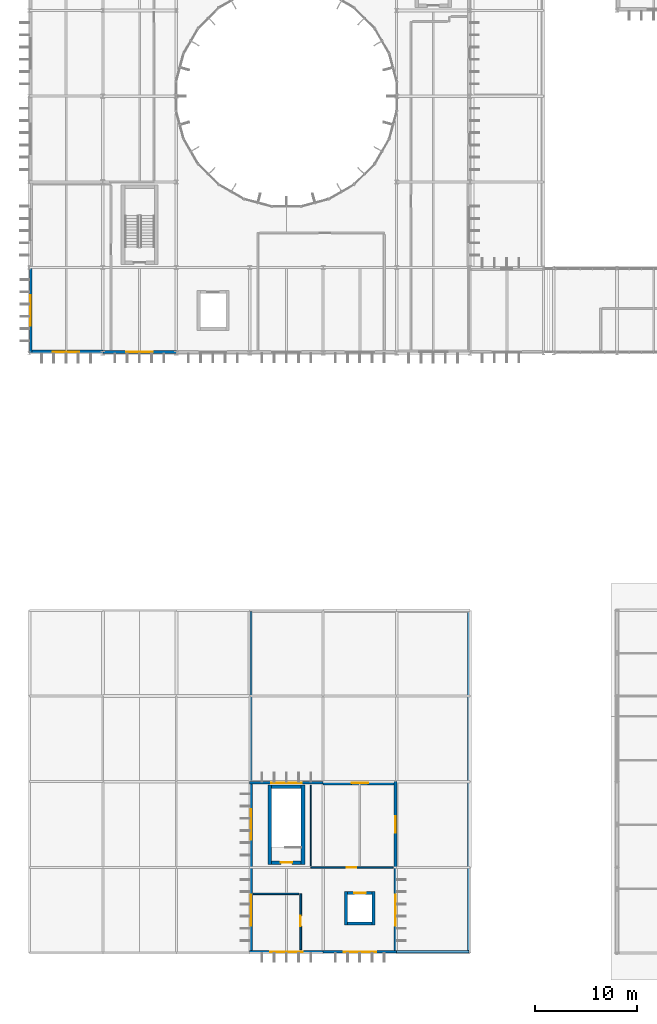
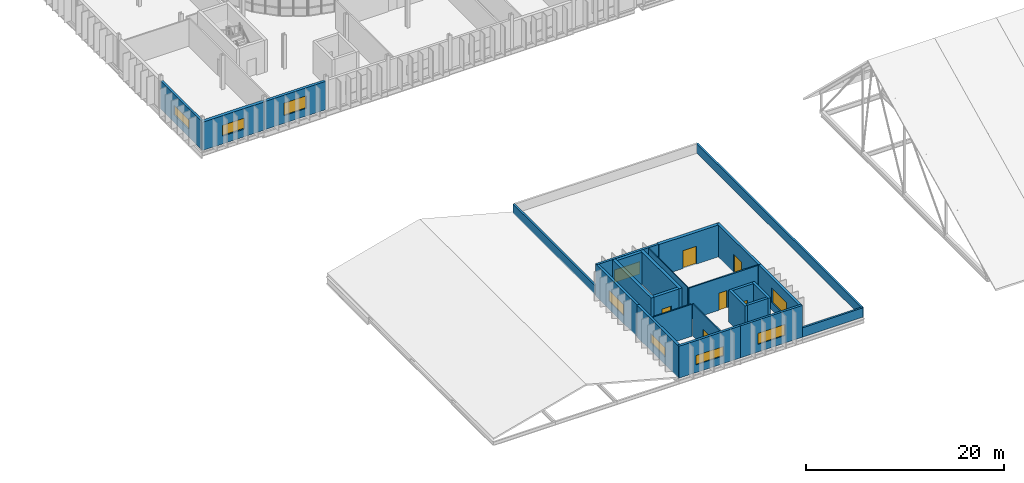
# One storey, part 76 of 99: 26 walls, 9 windows, 6 doors, 15 openings.
"""IFC4 building model written with IfcOpenShell, lengths in metres."""

from ifc_helpers import new_model, si_unit, direction, frame, frame_2d, origin, place, context, subcontext, project, spatial, rectangle, extrude, material, layer, layer_set, type_object, element, fill, save


model = new_model("IFC4")

# Units and contexts
model_context = context("Model", 3, precision=1e-05, world=origin(), true_north=direction((0.0, 1.0)))
body_context = subcontext(model_context, "Body", "Model", "MODEL_VIEW")
ifc_project = project(units=[si_unit("LENGTHUNIT", "METRE"), si_unit("AREAUNIT", "SQUARE_METRE"), si_unit("VOLUMEUNIT", "CUBIC_METRE"), si_unit("PLANEANGLEUNIT", "RADIAN"), si_unit("MASSUNIT", "GRAM", prefix="KILO")], contexts=[model_context])

# Site, building, storey
site_placement = place(None, origin())
site = spatial("IfcSite", under=ifc_project, at=site_placement, CompositionType="ELEMENT")
building_placement = place(site_placement, origin())
building = spatial("IfcBuilding", under=site, at=building_placement, Name="Qelthora Terrace Specialist Clinic", CompositionType="ELEMENT")
storey_placement = place(building_placement, frame((0.0, 0.0, 9.0)))
storey = spatial("IfcBuildingStorey", under=building, at=storey_placement, Name="L02", CompositionType="ELEMENT", Elevation=9.0)

# Walls
ifc_material_1 = material(Name="Concrete C40/50", Category="concrete")
ifc_layer_1 = layer(ifc_material_1, 0.300048828125)
ifc_layer_set_1 = layer_set([ifc_layer_1], Name="Concrete C40/50")
wall_type_1 = type_object("IfcWallType", Name="WAL-CORE-300-C40", PredefinedType="SHEAR", material=ifc_layer_set_1)
for number, where, z_axis, x_axis, name in (
    (1, (31.050048828125, 2.75, 0.0), (0.0, 0.0, 1.0), (0.0, 1.0, 0.0), "Lift PL-03 L02 west shaft wall"),
    (2, (33.75, 2.75, 0.0), (0.0, 0.0, 1.0), (0.0, 1.0, 0.0), "Lift PL-03 L02 east shaft wall"),
):
    element("IfcWall", number, at=place(storey_placement, frame(where, z_axis=z_axis, x_axis=x_axis)), inside=storey, type_object=wall_type_1, Name=name, PredefinedType="SHEAR", context=body_context, shape_type="SweptSolid", body=[
        extrude(rectangle(XDim=3.300048828125, YDim=0.300048828125, at=frame_2d((1.64990234375, 0.0))), origin(), (0.0, 0.0, 1.0), 3.965087890625),
    ])

# Wall, opening, door
wall_1_placement = place(storey_placement, frame((31.199951171875, 5.89990234375, 0.0), z_axis=(0.0, 0.0, 1.0), x_axis=(1.0, 0.0, 0.0)))
wall_1 = element("IfcWall", 3, at=wall_1_placement, inside=storey, type_object=wall_type_1, Name="Lift PL-03 L02 north shaft wall", PredefinedType="SHEAR", context=body_context, shape_type="SweptSolid", body=[
    extrude(rectangle(XDim=2.400146484375, YDim=0.300048828125, at=frame_2d((1.2001953125, 0.0))), origin(), (0.0, 0.0, 1.0), 3.965087890625),
])
opening_1_placement = place(wall_1_placement, frame((0.64990234375, 0.0, 0.0)))
opening_1 = element("IfcOpeningElement", 4, at=opening_1_placement, cuts=wall_1, Name="Opening LD-PL-03-L02", PredefinedType="OPENING", context=body_context, shape_type="SweptSolid", body=[
    extrude(rectangle(XDim=1.10009765625, YDim=2.14990234375, at=frame_2d((0.550048828125, 1.074951171875))), frame((0.0, 0.159912109375, 0.0), z_axis=(0.0, -1.0, 0.0), x_axis=(1.0, 0.0, 0.0)), (0.0, 0.0, 1.0), 0.320068359375),
])
ifc_material_2 = material(Name="Steel S355", Category="steel")
door_type_1 = type_object("IfcDoorType", Name="DOR-LIFT-1100X2150", OperationType="NOTDEFINED", PredefinedType="DOOR", material=ifc_material_2)
door_1_placement = place(opening_1_placement, origin())
door_1 = element("IfcDoor", 5, at=door_1_placement, inside=storey, type_object=door_type_1, Name="Lift landing sliding door LD-PL-03-L02", OperationType="DOUBLE_DOOR_SLIDING", OverallHeight=2.14990234375, OverallWidth=1.10009765625, PredefinedType="DOOR", context=body_context, shape_type="SweptSolid", body=[
    extrude(rectangle(XDim=1.10009765625, YDim=2.14990234375, at=frame_2d((0.550048828125, 1.074951171875))), frame((0.0, 0.02490234375, 0.0), z_axis=(0.0, -1.0, 0.0), x_axis=(1.0, 0.0, 0.0)), (0.0, 0.0, 1.0), 0.050048828125),
])
fill(opening_1, door_1)

# Walls
wall_2_placement = place(storey_placement, frame((31.199951171875, 2.89990234375, 0.0), z_axis=(0.0, 0.0, 1.0), x_axis=(1.0, 0.0, 0.0)))
element("IfcWall", 6, at=wall_2_placement, inside=storey, type_object=wall_type_1, Name="Lift PL-03 L02 south shaft wall", PredefinedType="SHEAR", context=body_context, shape_type="SweptSolid", body=[
    extrude(rectangle(XDim=2.400146484375, YDim=0.300048828125, at=frame_2d((1.2001953125, 0.0))), origin(), (0.0, 0.0, 1.0), 3.965087890625),
])
ifc_layer_2 = layer(ifc_material_1, 0.35009765625)
ifc_layer_set_2 = layer_set([ifc_layer_2], Name="Concrete C40/50")
wall_type_2 = type_object("IfcWallType", Name="WAL-CORE-350-C40", PredefinedType="SHEAR", material=ifc_layer_set_2)
for number, where, z_axis, x_axis, name in (
    (7, (23.574951171875, 8.699951171875, 0.0), (0.0, 0.0, 1.0), (0.0, 1.0, 0.0), "ST-03 L02 west shear core wall"),
    (8, (26.824951171875, 8.699951171875, 0.0), (0.0, 0.0, 1.0), (0.0, 1.0, 0.0), "ST-03 L02 east shear core wall"),
):
    element("IfcWall", number, at=place(storey_placement, frame(where, z_axis=z_axis, x_axis=x_axis)), inside=storey, type_object=wall_type_2, Name=name, PredefinedType="SHEAR", context=body_context, shape_type="SweptSolid", body=[
        extrude(rectangle(XDim=7.800048828125, YDim=0.35009765625, at=frame_2d((3.89990234375, 0.0))), origin(), (0.0, 0.0, 1.0), 3.965087890625),
    ])
wall_3_placement = place(storey_placement, frame((23.75, 16.324951171875, 0.0), z_axis=(0.0, 0.0, 1.0), x_axis=(1.0, 0.0, 0.0)))
element("IfcWall", 9, at=wall_3_placement, inside=storey, type_object=wall_type_2, Name="ST-03 L02 north shear core wall", PredefinedType="SHEAR", context=body_context, shape_type="SweptSolid", body=[
    extrude(rectangle(XDim=2.89990234375, YDim=0.35009765625, at=frame_2d((1.449951171875, 0.0))), origin(), (0.0, 0.0, 1.0), 3.965087890625),
])

# Wall, opening, door
wall_4_placement = place(storey_placement, frame((23.75, 8.875, 0.0), z_axis=(0.0, 0.0, 1.0), x_axis=(1.0, 0.0, 0.0)))
wall_4 = element("IfcWall", 10, at=wall_4_placement, inside=storey, type_object=wall_type_2, Name="ST-03 L02 south shear core wall", PredefinedType="SHEAR", context=body_context, shape_type="SweptSolid", body=[
    extrude(rectangle(XDim=2.89990234375, YDim=0.35009765625, at=frame_2d((1.449951171875, 0.0))), origin(), (0.0, 0.0, 1.0), 3.965087890625),
])
opening_2_placement = place(wall_4_placement, frame((0.89990234375, 0.0, 0.0)))
opening_2 = element("IfcOpeningElement", 11, at=opening_2_placement, cuts=wall_4, Name="Opening D-ST-03-L02", PredefinedType="OPENING", context=body_context, shape_type="SweptSolid", body=[
    extrude(rectangle(XDim=1.10009765625, YDim=2.14990234375, at=frame_2d((0.550048828125, 1.074951171875))), frame((0.0, 0.18505859375, 0.0), z_axis=(0.0, -1.0, 0.0), x_axis=(1.0, 0.0, 0.0)), (0.0, 0.0, 1.0), 0.3701171875),
])
door_type_2 = type_object("IfcDoorType", Name="DOR-STAIR-1100X2150", OperationType="NOTDEFINED", PredefinedType="DOOR", material=ifc_material_2)
door_2_placement = place(opening_2_placement, origin())
door_2 = element("IfcDoor", 12, at=door_2_placement, inside=storey, type_object=door_type_2, Name="Stair fire door D-ST-03-L02", OperationType="SINGLE_SWING_LEFT", OverallHeight=2.14990234375, OverallWidth=1.10009765625, PredefinedType="DOOR", context=body_context, shape_type="SweptSolid", body=[
    extrude(rectangle(XDim=1.10009765625, YDim=2.14990234375, at=frame_2d((0.550048828125, 1.074951171875))), frame((0.0, 0.02490234375, 0.0), z_axis=(0.0, -1.0, 0.0), x_axis=(1.0, 0.0, 0.0)), (0.0, 0.0, 1.0), 0.050048828125),
])
fill(opening_2, door_2)

# Wall, opening, window
ifc_material_3 = material(Name="Precast concrete C40/50", Category="concrete")
ifc_layer_3 = layer(ifc_material_3, 0.260009765625)
ifc_layer_set_3 = layer_set([ifc_layer_3], Name="Precast concrete C40/50")
wall_type_3 = type_object("IfcWallType", Name="WAL-EXT-260-PC40", PredefinedType="SOLIDWALL", material=ifc_layer_set_3)
wall_5_placement = place(storey_placement, frame((0.1201171875, 58.800048828125, 0.0), z_axis=(0.0, 0.0, 1.0), x_axis=(0.0, 1.0, 0.0)))
wall_5 = element("IfcWall", 13, at=wall_5_placement, inside=storey, type_object=wall_type_3, Name="L02 external precast wall 209", PredefinedType="SOLIDWALL", context=body_context, shape_type="SweptSolid", body=[
    extrude(rectangle(XDim=8.39990234375, YDim=0.260009765625, at=frame_2d((4.199951171875, 0.0))), origin(), (0.0, 0.0, 1.0), 3.47607421875),
])
opening_3_placement = place(wall_5_placement, frame((2.699951171875, 0.0, 0.949951171875)))
opening_3 = element("IfcOpeningElement", 14, at=opening_3_placement, cuts=wall_5, Name="Opening WN-L02-177", PredefinedType="OPENING", context=body_context, shape_type="SweptSolid", body=[
    extrude(rectangle(XDim=3.0, YDim=1.14990234375, at=frame_2d((1.5, 0.574951171875))), frame((0.0, 0.139892578125, 0.0), z_axis=(0.0, -1.0, 0.0), x_axis=(1.0, 0.0, 0.0)), (0.0, 0.0, 1.0), 0.280029296875),
])
ifc_material_4 = material(Name="Low-E triple-silver insulating glass", Category="glass")
window_type_1 = type_object("IfcWindowType", Name="WIN-3000X1150", PartitioningType="DOUBLE_PANEL_VERTICAL", PredefinedType="WINDOW", material=ifc_material_4)
window_1_placement = place(opening_3_placement, origin())
window_1 = element("IfcWindow", 15, at=window_1_placement, inside=storey, type_object=window_type_1, Name="Clinical window WN-L02-177", OverallHeight=1.14990234375, OverallWidth=3.0, PartitioningType="SINGLE_PANEL", PredefinedType="WINDOW", context=body_context, shape_type="SweptSolid", body=[
    extrude(rectangle(XDim=3.0, YDim=1.14990234375, at=frame_2d((1.5, 0.574951171875))), frame((0.0, 0.030029296875, 0.0), z_axis=(0.0, -1.0, 0.0), x_axis=(1.0, 0.0, 0.0)), (0.0, 0.0, 1.0), 0.06005859375),
])
fill(opening_3, window_1)

wall_6_placement = place(storey_placement, frame((21.60009765625, 16.679931640625, 0.0), z_axis=(0.0, 0.0, 1.0), x_axis=(1.0, 0.0, 0.0)))
wall_6 = element("IfcWall", 16, at=wall_6_placement, inside=storey, type_object=wall_type_3, Name="L02 external precast wall 279", PredefinedType="SOLIDWALL", context=body_context, shape_type="SweptSolid", body=[
    extrude(rectangle(XDim=7.199951171875, YDim=0.260009765625, at=frame_2d((3.60009765625, 0.0))), origin(), (0.0, 0.0, 1.0), 3.93994140625),
])
opening_4_placement = place(wall_6_placement, frame((2.10009765625, 0.0, 0.949951171875)))
opening_4 = element("IfcOpeningElement", 17, at=opening_4_placement, cuts=wall_6, Name="Opening WN-L02-243", PredefinedType="OPENING", context=body_context, shape_type="SweptSolid", body=[
    extrude(rectangle(XDim=3.0, YDim=1.550048828125, at=frame_2d((1.5, 0.77490234375))), frame((0.0, 0.139892578125, 0.0), z_axis=(0.0, -1.0, 0.0), x_axis=(1.0, 0.0, 0.0)), (0.0, 0.0, 1.0), 0.280029296875),
])
window_type_2 = type_object("IfcWindowType", Name="WIN-3000X1550", PartitioningType="DOUBLE_PANEL_VERTICAL", PredefinedType="WINDOW", material=ifc_material_4)
window_2_placement = place(opening_4_placement, origin())
window_2 = element("IfcWindow", 18, at=window_2_placement, inside=storey, type_object=window_type_2, Name="Clinical window WN-L02-243", OverallHeight=1.550048828125, OverallWidth=3.0, PartitioningType="SINGLE_PANEL", PredefinedType="WINDOW", context=body_context, shape_type="SweptSolid", body=[
    extrude(rectangle(XDim=3.0, YDim=1.550048828125, at=frame_2d((1.5, 0.77490234375))), frame((0.0, 0.030029296875, 0.0), z_axis=(0.0, -1.0, 0.0), x_axis=(1.0, 0.0, 0.0)), (0.0, 0.0, 1.0), 0.06005859375),
])
fill(opening_4, window_2)

wall_7_placement = place(storey_placement, frame((28.800048828125, 0.1201171875, 0.0), z_axis=(0.0, 0.0, 1.0), x_axis=(1.0, 0.0, 0.0)))
wall_7 = element("IfcWall", 19, at=wall_7_placement, inside=storey, type_object=wall_type_3, Name="L02 external precast wall 284", PredefinedType="SOLIDWALL", context=body_context, shape_type="SweptSolid", body=[
    extrude(rectangle(XDim=7.199951171875, YDim=0.260009765625, at=frame_2d((3.60009765625, 0.0))), origin(), (0.0, 0.0, 1.0), 3.93994140625),
])
opening_5_placement = place(wall_7_placement, frame((2.0, 0.0, 0.949951171875)))
opening_5 = element("IfcOpeningElement", 20, at=opening_5_placement, cuts=wall_7, Name="Opening WN-L02-246", PredefinedType="OPENING", context=body_context, shape_type="SweptSolid", body=[
    extrude(rectangle(XDim=3.199951171875, YDim=1.35009765625, at=frame_2d((1.60009765625, 0.675048828125))), frame((0.0, 0.139892578125, 0.0), z_axis=(0.0, -1.0, 0.0), x_axis=(1.0, 0.0, 0.0)), (0.0, 0.0, 1.0), 0.280029296875),
])
window_type_3 = type_object("IfcWindowType", Name="WIN-3200X1350", PartitioningType="DOUBLE_PANEL_VERTICAL", PredefinedType="WINDOW", material=ifc_material_4)
window_3_placement = place(opening_5_placement, origin())
window_3 = element("IfcWindow", 21, at=window_3_placement, inside=storey, type_object=window_type_3, Name="Clinical window WN-L02-246", OverallHeight=1.35009765625, OverallWidth=3.199951171875, PartitioningType="SINGLE_PANEL", PredefinedType="WINDOW", context=body_context, shape_type="SweptSolid", body=[
    extrude(rectangle(XDim=3.199951171875, YDim=1.35009765625, at=frame_2d((1.60009765625, 0.675048828125))), frame((0.0, 0.030029296875, 0.0), z_axis=(0.0, -1.0, 0.0), x_axis=(1.0, 0.0, 0.0)), (0.0, 0.0, 1.0), 0.06005859375),
])
fill(opening_5, window_3)

ifc_layer_4 = layer(ifc_material_3, 0.280029296875)
ifc_layer_set_4 = layer_set([ifc_layer_4], Name="Precast concrete C40/50")
wall_type_4 = type_object("IfcWallType", Name="WAL-EXT-280-PC40", PredefinedType="SOLIDWALL", material=ifc_layer_set_4)
wall_8_placement = place(storey_placement, frame((21.719970703125, 8.39990234375, 0.0), z_axis=(0.0, 0.0, 1.0), x_axis=(0.0, 1.0, 0.0)))
wall_8 = element("IfcWall", 22, at=wall_8_placement, inside=storey, type_object=wall_type_4, Name="L02 external precast wall 278", PredefinedType="SOLIDWALL", context=body_context, shape_type="SweptSolid", body=[
    extrude(rectangle(XDim=8.400146484375, YDim=0.280029296875, at=frame_2d((4.2001953125, 0.0))), origin(), (0.0, 0.0, 1.0), 3.93994140625),
])
opening_6_placement = place(wall_8_placement, frame((2.699951171875, 0.0, 0.949951171875)))
opening_6 = element("IfcOpeningElement", 23, at=opening_6_placement, cuts=wall_8, Name="Opening WN-L02-242", PredefinedType="OPENING", context=body_context, shape_type="SweptSolid", body=[
    extrude(rectangle(XDim=3.0, YDim=1.35009765625, at=frame_2d((1.5, 0.675048828125))), frame((0.0, 0.14990234375, 0.0), z_axis=(0.0, -1.0, 0.0), x_axis=(1.0, 0.0, 0.0)), (0.0, 0.0, 1.0), 0.300048828125),
])
window_type_4 = type_object("IfcWindowType", Name="WIN-3000X1350", PartitioningType="DOUBLE_PANEL_VERTICAL", PredefinedType="WINDOW", material=ifc_material_4)
window_4_placement = place(opening_6_placement, origin())
window_4 = element("IfcWindow", 24, at=window_4_placement, inside=storey, type_object=window_type_4, Name="Clinical window WN-L02-242", OverallHeight=1.35009765625, OverallWidth=3.0, PartitioningType="SINGLE_PANEL", PredefinedType="WINDOW", context=body_context, shape_type="SweptSolid", body=[
    extrude(rectangle(XDim=3.0, YDim=1.35009765625, at=frame_2d((1.5, 0.675048828125))), frame((0.0, 0.030029296875, 0.0), z_axis=(0.0, -1.0, 0.0), x_axis=(1.0, 0.0, 0.0)), (0.0, 0.0, 1.0), 0.06005859375),
])
fill(opening_6, window_4)

wall_9_placement = place(storey_placement, frame((21.60009765625, 0.1201171875, 0.0), z_axis=(0.0, 0.0, 1.0), x_axis=(1.0, 0.0, 0.0)))
wall_9 = element("IfcWall", 25, at=wall_9_placement, inside=storey, type_object=wall_type_4, Name="L02 external precast wall 283", PredefinedType="SOLIDWALL", context=body_context, shape_type="SweptSolid", body=[
    extrude(rectangle(XDim=7.199951171875, YDim=0.280029296875, at=frame_2d((3.60009765625, 0.0))), origin(), (0.0, 0.0, 1.0), 3.93994140625),
])
opening_7_placement = place(wall_9_placement, frame((2.0, 0.0, 0.949951171875)))
opening_7 = element("IfcOpeningElement", 26, at=opening_7_placement, cuts=wall_9, Name="Opening WN-L02-245", PredefinedType="OPENING", context=body_context, shape_type="SweptSolid", body=[
    extrude(rectangle(XDim=3.199951171875, YDim=1.14990234375, at=frame_2d((1.60009765625, 0.574951171875))), frame((0.0, 0.14990234375, 0.0), z_axis=(0.0, -1.0, 0.0), x_axis=(1.0, 0.0, 0.0)), (0.0, 0.0, 1.0), 0.300048828125),
])
window_type_5 = type_object("IfcWindowType", Name="WIN-3200X1150", PartitioningType="DOUBLE_PANEL_VERTICAL", PredefinedType="WINDOW", material=ifc_material_4)
window_5_placement = place(opening_7_placement, origin())
window_5 = element("IfcWindow", 27, at=window_5_placement, inside=storey, type_object=window_type_5, Name="Clinical window WN-L02-245", OverallHeight=1.14990234375, OverallWidth=3.199951171875, PartitioningType="SINGLE_PANEL", PredefinedType="WINDOW", context=body_context, shape_type="SweptSolid", body=[
    extrude(rectangle(XDim=3.199951171875, YDim=1.14990234375, at=frame_2d((1.60009765625, 0.574951171875))), frame((0.0, 0.030029296875, 0.0), z_axis=(0.0, -1.0, 0.0), x_axis=(1.0, 0.0, 0.0)), (0.0, 0.0, 1.0), 0.06005859375),
])
fill(opening_7, window_5)

ifc_layer_5 = layer(ifc_material_3, 0.300048828125)
ifc_layer_set_5 = layer_set([ifc_layer_5], Name="Precast concrete C40/50")
wall_type_5 = type_object("IfcWallType", Name="WAL-EXT-300-PC40", PredefinedType="SOLIDWALL", material=ifc_layer_set_5)
wall_10_placement = place(storey_placement, frame((21.719970703125, 0.0, 0.0), z_axis=(0.0, 0.0, 1.0), x_axis=(0.0, 1.0, 0.0)))
wall_10 = element("IfcWall", 28, at=wall_10_placement, inside=storey, type_object=wall_type_5, Name="L02 external precast wall 277", PredefinedType="SOLIDWALL", context=body_context, shape_type="SweptSolid", body=[
    extrude(rectangle(XDim=8.39990234375, YDim=0.300048828125, at=frame_2d((4.199951171875, 0.0))), origin(), (0.0, 0.0, 1.0), 3.93994140625),
])
opening_8_placement = place(wall_10_placement, frame((2.699951171875, 0.0, 0.949951171875)))
opening_8 = element("IfcOpeningElement", 29, at=opening_8_placement, cuts=wall_10, Name="Opening WN-L02-241", PredefinedType="OPENING", context=body_context, shape_type="SweptSolid", body=[
    extrude(rectangle(XDim=3.0, YDim=1.14990234375, at=frame_2d((1.5, 0.574951171875))), frame((0.0, 0.159912109375, 0.0), z_axis=(0.0, -1.0, 0.0), x_axis=(1.0, 0.0, 0.0)), (0.0, 0.0, 1.0), 0.320068359375),
])
window_6_placement = place(opening_8_placement, origin())
window_6 = element("IfcWindow", 30, at=window_6_placement, inside=storey, type_object=window_type_1, Name="Clinical window WN-L02-241", OverallHeight=1.14990234375, OverallWidth=3.0, PartitioningType="SINGLE_PANEL", PredefinedType="WINDOW", context=body_context, shape_type="SweptSolid", body=[
    extrude(rectangle(XDim=3.0, YDim=1.14990234375, at=frame_2d((1.5, 0.574951171875))), frame((0.0, 0.030029296875, 0.0), z_axis=(0.0, -1.0, 0.0), x_axis=(1.0, 0.0, 0.0)), (0.0, 0.0, 1.0), 0.06005859375),
])
fill(opening_8, window_6)

# Wall, opening, door
wall_11_placement = place(storey_placement, frame((35.8798828125, 8.39990234375, 0.0), z_axis=(0.0, 0.0, 1.0), x_axis=(0.0, 1.0, 0.0)))
wall_11 = element("IfcWall", 31, at=wall_11_placement, inside=storey, type_object=wall_type_5, Name="L02 external precast wall 282", PredefinedType="SOLIDWALL", context=body_context, shape_type="SweptSolid", body=[
    extrude(rectangle(XDim=8.400146484375, YDim=0.300048828125, at=frame_2d((4.2001953125, 0.0))), origin(), (0.0, 0.0, 1.0), 3.93994140625),
])
opening_9_placement = place(wall_11_placement, frame((3.39990234375, 0.0, 0.0)))
opening_9 = element("IfcOpeningElement", 32, at=opening_9_placement, cuts=wall_11, Name="Opening DE-GDN-01", PredefinedType="OPENING", context=body_context, shape_type="SweptSolid", body=[
    extrude(rectangle(XDim=1.60009765625, YDim=2.199951171875, at=frame_2d((0.800048828125, 1.10009765625))), frame((0.0, 0.159912109375, 0.0), z_axis=(0.0, -1.0, 0.0), x_axis=(1.0, 0.0, 0.0)), (0.0, 0.0, 1.0), 0.320068359375),
])
door_type_3 = type_object("IfcDoorType", Name="DOR-EXT-1600X2200", OperationType="NOTDEFINED", PredefinedType="DOOR", material=ifc_material_2)
door_3_placement = place(opening_9_placement, frame((1.60009765625, 0.0, 0.0), z_axis=(0.0, 0.0, 1.0), x_axis=(-1.0, 0.0, 0.0)))
door_3 = element("IfcDoor", 33, at=door_3_placement, inside=storey, type_object=door_type_3, Name="Exterior entrance/exit door DE-GDN-01", OperationType="DOUBLE_DOOR_SINGLE_SWING", OverallHeight=2.199951171875, OverallWidth=1.60009765625, PredefinedType="DOOR", context=body_context, shape_type="SweptSolid", body=[
    extrude(rectangle(XDim=1.60009765625, YDim=2.199951171875, at=frame_2d((0.800048828125, 1.10009765625))), frame((0.0, 0.02490234375, 0.0), z_axis=(0.0, -1.0, 0.0), x_axis=(1.0, 0.0, 0.0)), (0.0, 0.0, 1.0), 0.050048828125),
])
fill(opening_9, door_3)

# Wall, opening, window
ifc_layer_6 = layer(ifc_material_3, 0.320068359375)
ifc_layer_set_6 = layer_set([ifc_layer_6], Name="Precast concrete C40/50")
wall_type_6 = type_object("IfcWallType", Name="WAL-EXT-320-PC40", PredefinedType="SOLIDWALL", material=ifc_layer_set_6)
wall_12_placement = place(storey_placement, frame((7.199951171875, 58.919921875, 0.0), z_axis=(0.0, 0.0, 1.0), x_axis=(1.0, 0.0, 0.0)))
wall_12 = element("IfcWall", 34, at=wall_12_placement, inside=storey, type_object=wall_type_6, Name="L02 external precast wall 271", PredefinedType="SOLIDWALL", context=body_context, shape_type="SweptSolid", body=[
    extrude(rectangle(XDim=7.199951171875, YDim=0.320068359375, at=frame_2d((3.60009765625, 0.0))), origin(), (0.0, 0.0, 1.0), 3.48193359375),
])
opening_10_placement = place(wall_12_placement, frame((2.300048828125, 0.0, 0.949951171875)))
opening_10 = element("IfcOpeningElement", 35, at=opening_10_placement, cuts=wall_12, Name="Opening WN-L02-235", PredefinedType="OPENING", context=body_context, shape_type="SweptSolid", body=[
    extrude(rectangle(XDim=2.60009765625, YDim=1.550048828125, at=frame_2d((1.300048828125, 0.77490234375))), frame((0.0, 0.169921875, 0.0), z_axis=(0.0, -1.0, 0.0), x_axis=(1.0, 0.0, 0.0)), (0.0, 0.0, 1.0), 0.340087890625),
])
window_type_6 = type_object("IfcWindowType", Name="WIN-2600X1550", PartitioningType="DOUBLE_PANEL_VERTICAL", PredefinedType="WINDOW", material=ifc_material_4)
window_7_placement = place(opening_10_placement, origin())
window_7 = element("IfcWindow", 36, at=window_7_placement, inside=storey, type_object=window_type_6, Name="Clinical window WN-L02-235", OverallHeight=1.550048828125, OverallWidth=2.60009765625, PartitioningType="SINGLE_PANEL", PredefinedType="WINDOW", context=body_context, shape_type="SweptSolid", body=[
    extrude(rectangle(XDim=2.60009765625, YDim=1.550048828125, at=frame_2d((1.300048828125, 0.77490234375))), frame((0.0, 0.030029296875, 0.0), z_axis=(0.0, -1.0, 0.0), x_axis=(1.0, 0.0, 0.0)), (0.0, 0.0, 1.0), 0.06005859375),
])
fill(opening_10, window_7)

wall_13_placement = place(storey_placement, frame((35.8798828125, 0.0, 0.0), z_axis=(0.0, 0.0, 1.0), x_axis=(0.0, 1.0, 0.0)))
wall_13 = element("IfcWall", 37, at=wall_13_placement, inside=storey, type_object=wall_type_6, Name="L02 external precast wall 281", PredefinedType="SOLIDWALL", context=body_context, shape_type="SweptSolid", body=[
    extrude(rectangle(XDim=8.39990234375, YDim=0.320068359375, at=frame_2d((4.199951171875, 0.0))), origin(), (0.0, 0.0, 1.0), 3.93994140625),
])
opening_11_placement = place(wall_13_placement, frame((2.699951171875, 0.0, 0.949951171875)))
opening_11 = element("IfcOpeningElement", 38, at=opening_11_placement, cuts=wall_13, Name="Opening WN-L02-244", PredefinedType="OPENING", context=body_context, shape_type="SweptSolid", body=[
    extrude(rectangle(XDim=3.0, YDim=1.75, at=frame_2d((1.5, 0.875))), frame((0.0, 0.169921875, 0.0), z_axis=(0.0, -1.0, 0.0), x_axis=(1.0, 0.0, 0.0)), (0.0, 0.0, 1.0), 0.340087890625),
])
window_type_7 = type_object("IfcWindowType", Name="WIN-3000X1750", PartitioningType="DOUBLE_PANEL_VERTICAL", PredefinedType="WINDOW", material=ifc_material_4)
window_8_placement = place(opening_11_placement, origin())
window_8 = element("IfcWindow", 39, at=window_8_placement, inside=storey, type_object=window_type_7, Name="Clinical window WN-L02-244", OverallHeight=1.75, OverallWidth=3.0, PartitioningType="SINGLE_PANEL", PredefinedType="WINDOW", context=body_context, shape_type="SweptSolid", body=[
    extrude(rectangle(XDim=3.0, YDim=1.75, at=frame_2d((1.5, 0.875))), frame((0.0, 0.030029296875, 0.0), z_axis=(0.0, -1.0, 0.0), x_axis=(1.0, 0.0, 0.0)), (0.0, 0.0, 1.0), 0.06005859375),
])
fill(opening_11, window_8)

ifc_layer_7 = layer(ifc_material_3, 0.3798828125)
ifc_layer_set_7 = layer_set([ifc_layer_7], Name="Precast concrete C40/50")
wall_type_7 = type_object("IfcWallType", Name="WAL-EXT-380-PC40", PredefinedType="SOLIDWALL", material=ifc_layer_set_7)
wall_14_placement = place(storey_placement, frame((0.0, 58.919921875, 0.0), z_axis=(0.0, 0.0, 1.0), x_axis=(1.0, 0.0, 0.0)))
wall_14 = element("IfcWall", 40, at=wall_14_placement, inside=storey, type_object=wall_type_7, Name="L02 external precast wall 270", PredefinedType="SOLIDWALL", context=body_context, shape_type="SweptSolid", body=[
    extrude(rectangle(XDim=7.199951171875, YDim=0.3798828125, at=frame_2d((3.60009765625, 0.0))), origin(), (0.0, 0.0, 1.0), 3.48193359375),
])
opening_12_placement = place(wall_14_placement, frame((2.300048828125, 0.0, 0.949951171875)))
opening_12 = element("IfcOpeningElement", 41, at=opening_12_placement, cuts=wall_14, Name="Opening WN-L02-234", PredefinedType="OPENING", context=body_context, shape_type="SweptSolid", body=[
    extrude(rectangle(XDim=2.60009765625, YDim=1.35009765625, at=frame_2d((1.300048828125, 0.675048828125))), frame((0.0, 0.199951171875, 0.0), z_axis=(0.0, -1.0, 0.0), x_axis=(1.0, 0.0, 0.0)), (0.0, 0.0, 1.0), 0.39990234375),
])
window_type_8 = type_object("IfcWindowType", Name="WIN-2600X1350", PartitioningType="DOUBLE_PANEL_VERTICAL", PredefinedType="WINDOW", material=ifc_material_4)
window_9_placement = place(opening_12_placement, origin())
window_9 = element("IfcWindow", 42, at=window_9_placement, inside=storey, type_object=window_type_8, Name="Clinical window WN-L02-234", OverallHeight=1.35009765625, OverallWidth=2.60009765625, PartitioningType="SINGLE_PANEL", PredefinedType="WINDOW", context=body_context, shape_type="SweptSolid", body=[
    extrude(rectangle(XDim=2.60009765625, YDim=1.35009765625, at=frame_2d((1.300048828125, 0.675048828125))), frame((0.0, 0.030029296875, 0.0), z_axis=(0.0, -1.0, 0.0), x_axis=(1.0, 0.0, 0.0)), (0.0, 0.0, 1.0), 0.06005859375),
])
fill(opening_12, window_9)

# Wall, opening, door
wall_15_placement = place(storey_placement, frame((28.800048828125, 16.679931640625, 0.0), z_axis=(0.0, 0.0, 1.0), x_axis=(1.0, 0.0, 0.0)))
wall_15 = element("IfcWall", 43, at=wall_15_placement, inside=storey, type_object=wall_type_7, Name="L02 external precast wall 280", PredefinedType="SOLIDWALL", context=body_context, shape_type="SweptSolid", body=[
    extrude(rectangle(XDim=7.199951171875, YDim=0.3798828125, at=frame_2d((3.60009765625, 0.0))), origin(), (0.0, 0.0, 1.0), 3.93994140625),
])
opening_13_placement = place(wall_15_placement, frame((2.800048828125, 0.0, 0.0)))
opening_13 = element("IfcOpeningElement", 44, at=opening_13_placement, cuts=wall_15, Name="Opening DE-GDN-02", PredefinedType="OPENING", context=body_context, shape_type="SweptSolid", body=[
    extrude(rectangle(XDim=1.60009765625, YDim=2.199951171875, at=frame_2d((0.800048828125, 1.10009765625))), frame((0.0, 0.199951171875, 0.0), z_axis=(0.0, -1.0, 0.0), x_axis=(1.0, 0.0, 0.0)), (0.0, 0.0, 1.0), 0.39990234375),
])
door_4_placement = place(opening_13_placement, origin())
door_4 = element("IfcDoor", 45, at=door_4_placement, inside=storey, type_object=door_type_3, Name="Exterior entrance/exit door DE-GDN-02", OperationType="DOUBLE_DOOR_SINGLE_SWING", OverallHeight=2.199951171875, OverallWidth=1.60009765625, PredefinedType="DOOR", context=body_context, shape_type="SweptSolid", body=[
    extrude(rectangle(XDim=1.60009765625, YDim=2.199951171875, at=frame_2d((0.800048828125, 1.10009765625))), frame((0.0, 0.02490234375, 0.0), z_axis=(0.0, -1.0, 0.0), x_axis=(1.0, 0.0, 0.0)), (0.0, 0.0, 1.0), 0.050048828125),
])
fill(opening_13, door_4)

ifc_material_5 = material(Name="Gypsum fire-rated wallboard", Category="gypsum")
ifc_layer_8 = layer(ifc_material_5, 0.159912109375)
ifc_layer_set_8 = layer_set([ifc_layer_8], Name="Gypsum fire-rated wallboard")
wall_type_8 = type_object("IfcWallType", Name="WAL-INT-COR-160", PredefinedType="PARTITIONING", material=ifc_layer_set_8)
wall_16_placement = place(storey_placement, frame((35.659912109375, 8.39990234375, 0.0), z_axis=(0.0, 0.0, 1.0), x_axis=(-1.0, 0.0, 0.0)))
wall_16 = element("IfcWall", 46, at=wall_16_placement, inside=storey, type_object=wall_type_8, Name="Interior clinical partition IWAL-L02-0245", PredefinedType="PARTITIONING", context=body_context, shape_type="SweptSolid", body=[
    extrude(rectangle(XDim=8.059814453125, YDim=0.159912109375, at=frame_2d((4.02978515625, 0.0))), origin(), (0.0, 0.0, 1.0), 3.945068359375),
])
opening_14_placement = place(wall_16_placement, frame((3.639892578125, 0.0, 0.0)))
opening_14 = element("IfcOpeningElement", 47, at=opening_14_placement, cuts=wall_16, Name="Opening DI-L02-0098", PredefinedType="OPENING", context=body_context, shape_type="SweptSolid", body=[
    extrude(rectangle(XDim=0.919921875, YDim=2.10009765625, at=frame_2d((0.4599609375, 1.050048828125))), frame((0.0, 0.08984375, 0.0), z_axis=(0.0, -1.0, 0.0), x_axis=(1.0, 0.0, 0.0)), (0.0, 0.0, 1.0), 0.179931640625),
])
ifc_material_6 = material(Name="Glulam timber GL28h", Category="wood")
door_type_4 = type_object("IfcDoorType", Name="DOR-CON-920X2100", OperationType="NOTDEFINED", PredefinedType="DOOR", material=ifc_material_6)
door_5_placement = place(opening_14_placement, frame((0.919921875, 0.0, 0.0), z_axis=(0.0, 0.0, 1.0), x_axis=(-1.0, 0.0, 0.0)))
door_5 = element("IfcDoor", 48, at=door_5_placement, inside=storey, type_object=door_type_4, Name="Interior clinical door DI-L02-0098", OperationType="SINGLE_SWING_LEFT", OverallHeight=2.10009765625, OverallWidth=0.919921875, PredefinedType="DOOR", context=body_context, shape_type="SweptSolid", body=[
    extrude(rectangle(XDim=0.919921875, YDim=2.10009765625, at=frame_2d((0.4599609375, 1.050048828125))), frame((0.0, 0.02490234375, 0.0), z_axis=(0.0, -1.0, 0.0), x_axis=(1.0, 0.0, 0.0)), (0.0, 0.0, 1.0), 0.050048828125),
])
fill(opening_14, door_5)

# Wall
ifc_layer_9 = layer(ifc_material_4, 0.110107421875)
ifc_layer_set_9 = layer_set([ifc_layer_9], Name="Low-E triple-silver insulating glass")
wall_type_9 = type_object("IfcWallType", Name="WAL-INT-GLA-110", PredefinedType="MOVABLE", material=ifc_layer_set_9)
wall_17_placement = place(storey_placement, frame((27.60009765625, 8.580078125, 0.0), z_axis=(0.0, 0.0, 1.0), x_axis=(0.0, 1.0, 0.0)))
element("IfcWall", 49, at=wall_17_placement, inside=storey, type_object=wall_type_9, Name="Interior clinical partition IWAL-L02-0246", PredefinedType="MOVABLE", context=body_context, shape_type="SweptSolid", body=[
    extrude(rectangle(XDim=7.8798828125, YDim=0.110107421875, at=frame_2d((3.93994140625, 0.0))), origin(), (0.0, 0.0, 1.0), 3.945068359375),
])

# Wall, opening, door
ifc_material_7 = material(Name="Gypsum moisture-resistant", Category="gypsum")
ifc_layer_10 = layer(ifc_material_7, 0.14990234375)
ifc_layer_set_10 = layer_set([ifc_layer_10], Name="Gypsum moisture-resistant")
wall_type_10 = type_object("IfcWallType", Name="WAL-INT-WET-150", PredefinedType="PLUMBINGWALL", material=ifc_layer_set_10)
wall_18_placement = place(storey_placement, frame((26.60009765625, 5.800048828125, 0.0), z_axis=(0.0, 0.0, 1.0), x_axis=(0.0, -1.0, 0.0)))
wall_18 = element("IfcWall", 50, at=wall_18_placement, inside=storey, type_object=wall_type_10, Name="Interior clinical partition IWAL-L02-0247", PredefinedType="PLUMBINGWALL", context=body_context, shape_type="SweptSolid", body=[
    extrude(rectangle(XDim=5.4599609375, YDim=0.14990234375, at=frame_2d((2.72998046875, 0.0))), origin(), (0.0, 0.0, 1.0), 3.945068359375),
])
opening_15_placement = place(wall_18_placement, frame((2.159912109375, 0.0, 0.0)))
opening_15 = element("IfcOpeningElement", 51, at=opening_15_placement, cuts=wall_18, Name="Opening DI-L02-0099", PredefinedType="OPENING", context=body_context, shape_type="SweptSolid", body=[
    extrude(rectangle(XDim=1.0, YDim=2.10009765625, at=frame_2d((0.5, 1.050048828125))), frame((0.0, 0.0849609375, 0.0), z_axis=(0.0, -1.0, 0.0), x_axis=(1.0, 0.0, 0.0)), (0.0, 0.0, 1.0), 0.169921875),
])
door_type_5 = type_object("IfcDoorType", Name="DOR-AWC-1000X2100", OperationType="NOTDEFINED", PredefinedType="DOOR", material=ifc_material_6)
door_6_placement = place(opening_15_placement, frame((1.0, 0.0, 0.0), z_axis=(0.0, 0.0, 1.0), x_axis=(-1.0, 0.0, 0.0)))
door_6 = element("IfcDoor", 52, at=door_6_placement, inside=storey, type_object=door_type_5, Name="Interior clinical door DI-L02-0099", OperationType="SINGLE_SWING_RIGHT", OverallHeight=2.10009765625, OverallWidth=1.0, PredefinedType="DOOR", context=body_context, shape_type="SweptSolid", body=[
    extrude(rectangle(XDim=1.0, YDim=2.10009765625, at=frame_2d((0.5, 1.050048828125))), frame((0.0, 0.02490234375, 0.0), z_axis=(0.0, -1.0, 0.0), x_axis=(1.0, 0.0, 0.0)), (0.0, 0.0, 1.0), 0.050048828125),
])
fill(opening_15, door_6)

# Walls
wall_19_placement = place(storey_placement, frame((21.93994140625, 5.800048828125, 0.0), z_axis=(0.0, 0.0, 1.0), x_axis=(1.0, 0.0, 0.0)))
element("IfcWall", 53, at=wall_19_placement, inside=storey, type_object=wall_type_10, Name="Interior clinical partition IWAL-L02-0248", PredefinedType="PLUMBINGWALL", context=body_context, shape_type="SweptSolid", body=[
    extrude(rectangle(XDim=4.47998046875, YDim=0.14990234375, at=frame_2d((2.239990234375, 0.0))), origin(), (0.0, 0.0, 1.0), 3.945068359375),
])
ifc_layer_11 = layer(ifc_material_3, 0.219970703125)
ifc_layer_set_11 = layer_set([ifc_layer_11], Name="Precast concrete C40/50")
wall_type_11 = type_object("IfcWallType", Name="WAL-PAR-220-PC40", PredefinedType="PARAPET", material=ifc_layer_set_11)
wall_20_placement = place(storey_placement, frame((36.0, 0.1201171875, 0.0), z_axis=(0.0, 0.0, 1.0), x_axis=(1.0, 0.0, 0.0)))
element("IfcWall", 54, at=wall_20_placement, inside=storey, type_object=wall_type_11, Name="Healing roof garden perimeter parapet 1", PredefinedType="PARAPET", context=body_context, shape_type="SweptSolid", body=[
    extrude(rectangle(XDim=7.080078125, YDim=0.219970703125, at=frame_2d((3.5400390625, 0.0))), origin(), (0.0, 0.0, 1.0), 1.14990234375),
])
wall_21_placement = place(storey_placement, frame((43.080078125, 0.1201171875, 0.0), z_axis=(0.0, 0.0, 1.0), x_axis=(0.0, 1.0, 0.0)))
element("IfcWall", 55, at=wall_21_placement, inside=storey, type_object=wall_type_11, Name="Healing roof garden perimeter parapet 2", PredefinedType="PARAPET", context=body_context, shape_type="SweptSolid", body=[
    extrude(rectangle(XDim=33.35986328125, YDim=0.219970703125, at=frame_2d((16.679931640625, 0.0))), origin(), (0.0, 0.0, 1.0), 1.14990234375),
])
wall_22_placement = place(storey_placement, frame((21.719970703125, 33.47998046875, 0.0), z_axis=(0.0, 0.0, 1.0), x_axis=(0.0, -1.0, 0.0)))
element("IfcWall", 56, at=wall_22_placement, inside=storey, type_object=wall_type_11, Name="Healing roof garden perimeter parapet 4", PredefinedType="PARAPET", context=body_context, shape_type="SweptSolid", body=[
    extrude(rectangle(XDim=16.679931640625, YDim=0.219970703125, at=frame_2d((8.33984375, 0.0))), origin(), (0.0, 0.0, 1.0), 1.14990234375),
])

save(model, "model.ifc")
